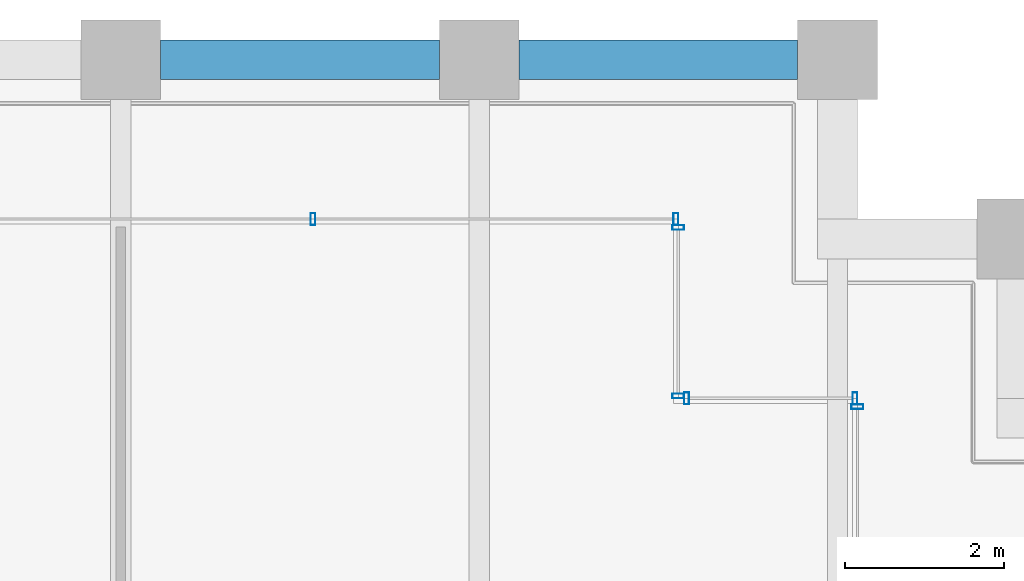
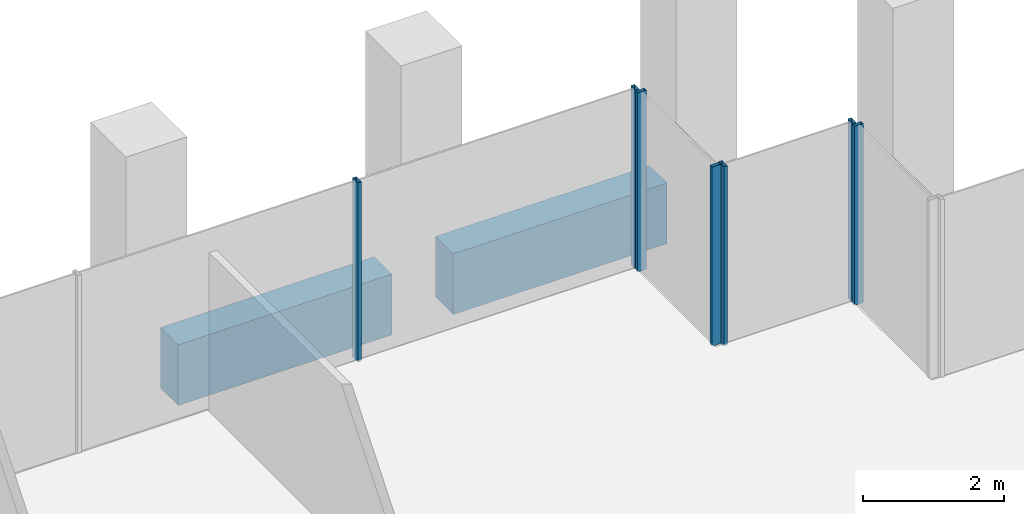
# One storey, part 26 of 46: 7 members, 2 beams, 4 elements without a shape of their own.
"""IFC4 building model written with IfcOpenShell, lengths in metres."""

from ifc_helpers import new_model, si_unit, direction, frame, origin, origin_2d, place, context, subcontext, project, spatial, rectangle, hollow_rectangle, extrude, material, material_profile, profile_set, type_object, element, aggregate, save


model = new_model("IFC4")

# Units and contexts
model_context = context("Model", 3, precision=1e-05, world=origin(), true_north=direction((0.0, 1.0)))
body_context = subcontext(model_context, "Body", "Model", "MODEL_VIEW")
ifc_project = project(units=[si_unit("LENGTHUNIT", "METRE"), si_unit("AREAUNIT", "SQUARE_METRE"), si_unit("VOLUMEUNIT", "CUBIC_METRE"), si_unit("PLANEANGLEUNIT", "RADIAN"), si_unit("MASSUNIT", "GRAM", prefix="KILO")], contexts=[model_context])

# Site, building, storey
site_placement = place(None, origin())
site = spatial("IfcSite", under=ifc_project, at=site_placement, CompositionType="ELEMENT")
building_placement = place(site_placement, origin())
building = spatial("IfcBuilding", under=site, at=building_placement, Name="Altepetl Exchange Towers", CompositionType="ELEMENT")
storey_placement = place(building_placement, frame((0.0, 0.0, 131.60009765625)))
storey = spatial("IfcBuildingStorey", under=building, at=storey_placement, Name="L32", CompositionType="ELEMENT", Elevation=131.60009765625)

# Curtain wall, member
ifc_material_1 = material(Name="Aluminium 6063-T6 glazing", Category="aluminium")
curtain_wall_type = type_object("IfcCurtainWallType", Name="Loggia glazing system", PredefinedType="NOTDEFINED", material=ifc_material_1)
curtain_wall_1_placement = place(storey_placement, origin())
curtain_wall_1 = element("IfcCurtainWall", 1, at=curtain_wall_1_placement, inside=storey, type_object=curtain_wall_type, Name="CW1 run", PredefinedType="NOTDEFINED")
ifc_material_2 = material(Name="Aluminium 6063-T6", Category="aluminium")
ifc_material_profile_1 = material_profile(ifc_material_2, hollow_rectangle(XDim=0.06005859375, YDim=0.14990234375, WallThickness=0.0029296875, at=origin_2d()), Name="Mullion 60x150 aluminium")
ifc_profile_set_1 = profile_set([ifc_material_profile_1], Name="Aluminium 6063-T6")
member_type = type_object("IfcMemberType", Name="Mullion 60x150 aluminium", PredefinedType="MULLION", material=ifc_profile_set_1)
member_1_placement = place(storey_placement, frame((67.75, 67.64501953125, 0.0), z_axis=(0.0, 0.0, 1.0), x_axis=(0.0, 1.0, 0.0)))
member_1 = element("IfcMember", 2, at=member_1_placement, type_object=member_type, Name="MU1 mullion", PredefinedType="MULLION", context=body_context, shape_type="SweptSolid", body=[
    extrude(hollow_rectangle(XDim=0.06005859375, YDim=0.14990234375, WallThickness=0.0029296875, at=origin_2d()), origin(), (0.0, 0.0, 1.0), 3.099853515625),
])
aggregate(curtain_wall_1, [member_1])

# Curtain wall, members
curtain_wall_2_placement = place(storey_placement, origin())
curtain_wall_2 = element("IfcCurtainWall", 3, at=curtain_wall_2_placement, inside=storey, type_object=curtain_wall_type, Name="CW1 run", PredefinedType="NOTDEFINED")
member_2_placement = place(storey_placement, frame((67.719970703125, 67.75, 0.0), z_axis=(0.0, 0.0, 1.0), x_axis=(-1.0, 0.0, 0.0)))
member_2 = element("IfcMember", 4, at=member_2_placement, type_object=member_type, Name="MU1 mullion", PredefinedType="MULLION", context=body_context, shape_type="SweptSolid", body=[
    extrude(hollow_rectangle(XDim=0.06005859375, YDim=0.14990234375, WallThickness=0.0029296875, at=origin_2d()), origin(), (0.0, 0.0, 1.0), 3.099853515625),
])
member_3_placement = place(storey_placement, frame((65.60498046875, 67.75, 0.0), z_axis=(0.0, 0.0, 1.0), x_axis=(-1.0, 0.0, 0.0)))
member_3 = element("IfcMember", 5, at=member_3_placement, type_object=member_type, Name="MU1 mullion", PredefinedType="MULLION", context=body_context, shape_type="SweptSolid", body=[
    extrude(hollow_rectangle(XDim=0.06005859375, YDim=0.14990234375, WallThickness=0.0029296875, at=origin_2d()), origin(), (0.0, 0.0, 1.0), 3.099853515625),
])
aggregate(curtain_wall_2, [member_2, member_3])

curtain_wall_3_placement = place(storey_placement, origin())
curtain_wall_3 = element("IfcCurtainWall", 6, at=curtain_wall_3_placement, inside=storey, type_object=curtain_wall_type, Name="CW1 run", PredefinedType="NOTDEFINED")
member_4_placement = place(storey_placement, frame((65.5, 67.780029296875, 0.0), z_axis=(0.0, 0.0, 1.0), x_axis=(0.0, 1.0, 0.0)))
member_4 = element("IfcMember", 7, at=member_4_placement, type_object=member_type, Name="MU1 mullion", PredefinedType="MULLION", context=body_context, shape_type="SweptSolid", body=[
    extrude(hollow_rectangle(XDim=0.06005859375, YDim=0.14990234375, WallThickness=0.0029296875, at=origin_2d()), origin(), (0.0, 0.0, 1.0), 3.099853515625),
])
member_5_placement = place(storey_placement, frame((65.5, 69.89501953125, 0.0), z_axis=(0.0, 0.0, 1.0), x_axis=(0.0, 1.0, 0.0)))
member_5 = element("IfcMember", 8, at=member_5_placement, type_object=member_type, Name="MU1 mullion", PredefinedType="MULLION", context=body_context, shape_type="SweptSolid", body=[
    extrude(hollow_rectangle(XDim=0.06005859375, YDim=0.14990234375, WallThickness=0.0029296875, at=origin_2d()), origin(), (0.0, 0.0, 1.0), 3.099853515625),
])
aggregate(curtain_wall_3, [member_4, member_5])

curtain_wall_4_placement = place(storey_placement, origin())
curtain_wall_4 = element("IfcCurtainWall", 9, at=curtain_wall_4_placement, inside=storey, type_object=curtain_wall_type, Name="CW1 run", PredefinedType="NOTDEFINED")
member_6_placement = place(storey_placement, frame((65.469970703125, 70.0, 0.0), z_axis=(0.0, 0.0, 1.0), x_axis=(-1.0, 0.0, 0.0)))
member_6 = element("IfcMember", 10, at=member_6_placement, type_object=member_type, Name="MU1 mullion", PredefinedType="MULLION", context=body_context, shape_type="SweptSolid", body=[
    extrude(hollow_rectangle(XDim=0.06005859375, YDim=0.14990234375, WallThickness=0.0029296875, at=origin_2d()), origin(), (0.0, 0.0, 1.0), 3.099853515625),
])
member_7_placement = place(storey_placement, frame((60.9150390625, 70.0, 0.0), z_axis=(0.0, 0.0, 1.0), x_axis=(-1.0, 0.0, 0.0)))
member_7 = element("IfcMember", 11, at=member_7_placement, type_object=member_type, Name="MU1 mullion", PredefinedType="MULLION", context=body_context, shape_type="SweptSolid", body=[
    extrude(hollow_rectangle(XDim=0.06005859375, YDim=0.14990234375, WallThickness=0.0029296875, at=origin_2d()), origin(), (0.0, 0.0, 1.0), 3.099853515625),
])
aggregate(curtain_wall_4, [member_6, member_7])

# Beams
ifc_material_3 = material(Name="Concrete C50/60 precast with cantera rosa facing", Category="concrete")
ifc_material_profile_2 = material_profile(ifc_material_3, rectangle(XDim=0.5, YDim=1.050048828125, at=origin_2d()), Name="500 x 1050")
ifc_profile_set_2 = profile_set([ifc_material_profile_2], Name="Concrete C50/60 precast with cantera rosa facing")
beam_type = type_object("IfcBeamType", Name="Spandrel beam 500x1050 cantera rosa", PredefinedType="SPANDREL", material=ifc_profile_set_2)
for number, where, z_axis, x_axis, name in (
    (12, (67.0, 72.0, -0.675048828125), (-1.0, 0.0, 0.0), (0.0, -1.0, 0.0), "sp:A:L32:024"),
    (13, (62.5, 72.0, -0.675048828125), (-1.0, 0.0, 0.0), (0.0, -1.0, 0.0), "sp:A:L32:025"),
):
    element("IfcBeam", number, at=place(storey_placement, frame(where, z_axis=z_axis, x_axis=x_axis)), inside=storey, type_object=beam_type, Name=name, PredefinedType="SPANDREL", context=body_context, shape_type="SweptSolid", body=[
        extrude(rectangle(XDim=0.5, YDim=1.050048828125, at=origin_2d()), origin(), (0.0, 0.0, 1.0), 3.5),
    ])

save(model, "model.ifc")
